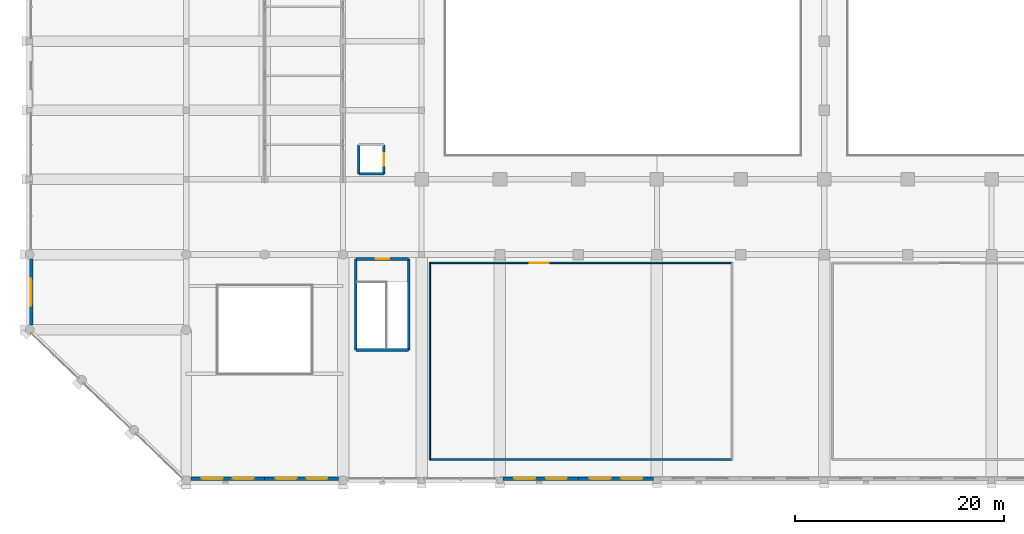
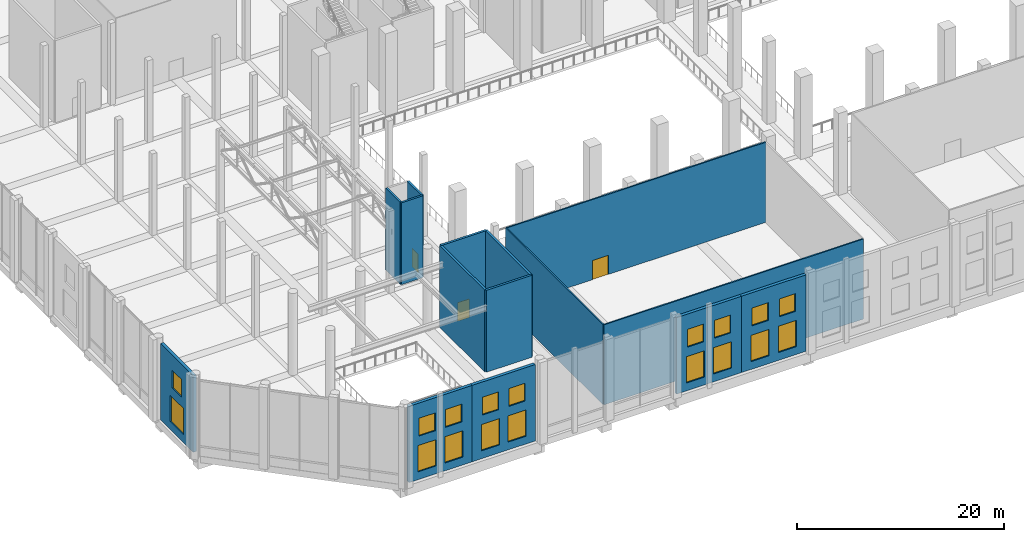
# One storey, part 61 of 80: 18 windows, 15 walls, 3 doors, 21 openings.
"""IFC4 building model written with IfcOpenShell, lengths in metres."""

from ifc_helpers import new_model, si_unit, direction, frame, frame_2d, origin, place, context, subcontext, project, spatial, rectangle, extrude, material, layer, layer_set, type_object, element, fill, save


model = new_model("IFC4")

# Units and contexts
model_context = context("Model", 3, precision=1e-05, world=origin(), true_north=direction((0.0, 1.0)))
body_context = subcontext(model_context, "Body", "Model", "MODEL_VIEW")
ifc_project = project(units=[si_unit("LENGTHUNIT", "METRE"), si_unit("AREAUNIT", "SQUARE_METRE"), si_unit("VOLUMEUNIT", "CUBIC_METRE"), si_unit("PLANEANGLEUNIT", "RADIAN"), si_unit("MASSUNIT", "GRAM", prefix="KILO")], contexts=[model_context])

# Site, building, storey
site_placement = place(None, origin())
site = spatial("IfcSite", under=ifc_project, at=site_placement, CompositionType="ELEMENT")
building_placement = place(site_placement, origin())
building = spatial("IfcBuilding", under=site, at=building_placement, Name="Akrevak Sports Hall", CompositionType="ELEMENT")
storey_placement = place(building_placement, frame((0.0, 0.0, 14.0)))
storey = spatial("IfcBuildingStorey", under=building, at=storey_placement, Name="L03", CompositionType="ELEMENT", Elevation=14.0)

# Wall, openings, windows
ifc_material_1 = material(Name="Limestone Ashlar", Category="stone")
ifc_layer_1 = layer(ifc_material_1, 0.070068359375, Name="Limestone Ashlar")
ifc_material_2 = material(Name="Mineral Wool Thermal Insulation", Category="insulation")
ifc_layer_2 = layer(ifc_material_2, 0.10009765625, Name="Mineral Wool Thermal Insulation")
ifc_material_3 = material(Name="Concrete C40/50", Category="concrete")
ifc_layer_3 = layer(ifc_material_3, 0.169921875, Name="Concrete C40/50")
ifc_layer_set_1 = layer_set([ifc_layer_1, ifc_layer_2, ifc_layer_3], Name="Limestone Ashlar / Mineral Wool Thermal Insulation / Concrete C40/50")
wall_type_1 = type_object("IfcWallType", Name="ARC-WL-EXT-340", PredefinedType="SOLIDWALL", material=ifc_layer_set_1)
wall_1_placement = place(storey_placement, frame((15.449951171875, 0.169921875, 0.0), z_axis=(0.0, 0.0, 1.0), x_axis=(1.0, 0.0, 0.0)))
wall_1 = element("IfcWall", 1, at=wall_1_placement, inside=storey, type_object=wall_type_1, Name="Exterior Limestone Wall L03-S01", PredefinedType="SOLIDWALL", context=body_context, shape_type="SweptSolid", body=[
    extrude(rectangle(XDim=7.050048828125, YDim=0.340087890625, at=frame_2d((3.52490234375, 0.0))), origin(), (0.0, 0.0, 1.0), 9.0),
])
opening_1_placement = place(wall_1_placement, frame((1.04443359375, 0.0, 0.919921875)))
opening_1 = element("IfcOpeningElement", 2, at=opening_1_placement, cuts=wall_1, Name="Opening WN-41", PredefinedType="OPENING", context=body_context, shape_type="SweptSolid", body=[
    extrude(rectangle(XDim=2.0, YDim=3.10009765625, at=frame_2d((1.0, 1.550048828125))), frame((0.0, 0.18212890625, 0.0), z_axis=(0.0, -1.0, 0.0), x_axis=(1.0, 0.0, 0.0)), (0.0, 0.0, 1.0), 0.364013671875),
])
opening_2_placement = place(wall_1_placement, frame((1.14453125, 0.0, 5.10009765625)))
opening_2 = element("IfcOpeningElement", 3, at=opening_2_placement, cuts=wall_1, Name="Opening WN-37", PredefinedType="OPENING", context=body_context, shape_type="SweptSolid", body=[
    extrude(rectangle(XDim=1.800048828125, YDim=2.10009765625, at=frame_2d((0.89990234375, 1.050048828125))), frame((0.0, 0.18212890625, 0.0), z_axis=(0.0, -1.0, 0.0), x_axis=(1.0, 0.0, 0.0)), (0.0, 0.0, 1.0), 0.364013671875),
])
opening_3_placement = place(wall_1_placement, frame((4.005615234375, 0.0, 0.919921875)))
opening_3 = element("IfcOpeningElement", 4, at=opening_3_placement, cuts=wall_1, Name="Opening WN-41", PredefinedType="OPENING", context=body_context, shape_type="SweptSolid", body=[
    extrude(rectangle(XDim=2.0, YDim=3.10009765625, at=frame_2d((1.0, 1.550048828125))), frame((0.0, 0.18212890625, 0.0), z_axis=(0.0, -1.0, 0.0), x_axis=(1.0, 0.0, 0.0)), (0.0, 0.0, 1.0), 0.364013671875),
])
opening_4_placement = place(wall_1_placement, frame((4.10546875, 0.0, 5.10009765625)))
opening_4 = element("IfcOpeningElement", 5, at=opening_4_placement, cuts=wall_1, Name="Opening WN-37", PredefinedType="OPENING", context=body_context, shape_type="SweptSolid", body=[
    extrude(rectangle(XDim=1.800048828125, YDim=2.10009765625, at=frame_2d((0.89990234375, 1.050048828125))), frame((0.0, 0.18212890625, 0.0), z_axis=(0.0, -1.0, 0.0), x_axis=(1.0, 0.0, 0.0)), (0.0, 0.0, 1.0), 0.364013671875),
])
ifc_material_4 = material(Name="Thermally Broken Bronze Frame & Double Low-E Glass", Category="glass")
window_type_1 = type_object("IfcWindowType", Name="ARC-WIN-SZ-1800x2100", PartitioningType="SINGLE_PANEL", PredefinedType="WINDOW", material=ifc_material_4)
window_1_placement = place(opening_2_placement, origin())
window_1 = element("IfcWindow", 6, at=window_1_placement, inside=storey, type_object=window_type_1, Name="Beaux-Arts Attic Clerestory Window WIN-L03-S01-1U", OverallHeight=2.10009765625, OverallWidth=1.800048828125, PartitioningType="SINGLE_PANEL", PredefinedType="WINDOW", context=body_context, shape_type="SweptSolid", body=[
    extrude(rectangle(XDim=1.800048828125, YDim=2.10009765625, at=frame_2d((0.89990234375, 1.050048828125))), frame((0.0, 0.030029296875, 0.0), z_axis=(0.0, -1.0, 0.0), x_axis=(1.0, 0.0, 0.0)), (0.0, 0.0, 1.0), 0.06005859375),
])
fill(opening_2, window_1)
window_2_placement = place(opening_4_placement, origin())
window_2 = element("IfcWindow", 7, at=window_2_placement, inside=storey, type_object=window_type_1, Name="Beaux-Arts Attic Clerestory Window WIN-L03-S01-2U", OverallHeight=2.10009765625, OverallWidth=1.800048828125, PartitioningType="SINGLE_PANEL", PredefinedType="WINDOW", context=body_context, shape_type="SweptSolid", body=[
    extrude(rectangle(XDim=1.800048828125, YDim=2.10009765625, at=frame_2d((0.89990234375, 1.050048828125))), frame((0.0, 0.030029296875, 0.0), z_axis=(0.0, -1.0, 0.0), x_axis=(1.0, 0.0, 0.0)), (0.0, 0.0, 1.0), 0.06005859375),
])
fill(opening_4, window_2)
window_type_2 = type_object("IfcWindowType", Name="ARC-WIN-SZ-2000x3100", PartitioningType="SINGLE_PANEL", PredefinedType="WINDOW", material=ifc_material_4)
window_3_placement = place(opening_1_placement, origin())
window_3 = element("IfcWindow", 8, at=window_3_placement, inside=storey, type_object=window_type_2, Name="Beaux-Arts Facade Window WIN-L03-S01-1", OverallHeight=3.10009765625, OverallWidth=2.0, PartitioningType="SINGLE_PANEL", PredefinedType="WINDOW", context=body_context, shape_type="SweptSolid", body=[
    extrude(rectangle(XDim=2.0, YDim=3.10009765625, at=frame_2d((1.0, 1.550048828125))), frame((0.0, 0.030029296875, 0.0), z_axis=(0.0, -1.0, 0.0), x_axis=(1.0, 0.0, 0.0)), (0.0, 0.0, 1.0), 0.06005859375),
])
fill(opening_1, window_3)
window_4_placement = place(opening_3_placement, origin())
window_4 = element("IfcWindow", 9, at=window_4_placement, inside=storey, type_object=window_type_2, Name="Beaux-Arts Facade Window WIN-L03-S01-2", OverallHeight=3.10009765625, OverallWidth=2.0, PartitioningType="SINGLE_PANEL", PredefinedType="WINDOW", context=body_context, shape_type="SweptSolid", body=[
    extrude(rectangle(XDim=2.0, YDim=3.10009765625, at=frame_2d((1.0, 1.550048828125))), frame((0.0, 0.030029296875, 0.0), z_axis=(0.0, -1.0, 0.0), x_axis=(1.0, 0.0, 0.0)), (0.0, 0.0, 1.0), 0.06005859375),
])
fill(opening_3, window_4)

wall_2_placement = place(storey_placement, frame((22.5, 0.169921875, 0.0), z_axis=(0.0, 0.0, 1.0), x_axis=(1.0, 0.0, 0.0)))
wall_2 = element("IfcWall", 10, at=wall_2_placement, inside=storey, type_object=wall_type_1, Name="Exterior Limestone Wall L03-S02", PredefinedType="SOLIDWALL", context=body_context, shape_type="SweptSolid", body=[
    extrude(rectangle(XDim=7.050048828125, YDim=0.340087890625, at=frame_2d((3.52490234375, 0.0))), origin(), (0.0, 0.0, 1.0), 9.0),
])
opening_5_placement = place(wall_2_placement, frame((1.04443359375, 0.0, 0.919921875)))
opening_5 = element("IfcOpeningElement", 11, at=opening_5_placement, cuts=wall_2, Name="Opening WN-41", PredefinedType="OPENING", context=body_context, shape_type="SweptSolid", body=[
    extrude(rectangle(XDim=2.0, YDim=3.10009765625, at=frame_2d((1.0, 1.550048828125))), frame((0.0, 0.18212890625, 0.0), z_axis=(0.0, -1.0, 0.0), x_axis=(1.0, 0.0, 0.0)), (0.0, 0.0, 1.0), 0.364013671875),
])
opening_6_placement = place(wall_2_placement, frame((1.14453125, 0.0, 5.10009765625)))
opening_6 = element("IfcOpeningElement", 12, at=opening_6_placement, cuts=wall_2, Name="Opening WN-37", PredefinedType="OPENING", context=body_context, shape_type="SweptSolid", body=[
    extrude(rectangle(XDim=1.800048828125, YDim=2.10009765625, at=frame_2d((0.89990234375, 1.050048828125))), frame((0.0, 0.18212890625, 0.0), z_axis=(0.0, -1.0, 0.0), x_axis=(1.0, 0.0, 0.0)), (0.0, 0.0, 1.0), 0.364013671875),
])
opening_7_placement = place(wall_2_placement, frame((4.005615234375, 0.0, 0.919921875)))
opening_7 = element("IfcOpeningElement", 13, at=opening_7_placement, cuts=wall_2, Name="Opening WN-41", PredefinedType="OPENING", context=body_context, shape_type="SweptSolid", body=[
    extrude(rectangle(XDim=2.0, YDim=3.10009765625, at=frame_2d((1.0, 1.550048828125))), frame((0.0, 0.18212890625, 0.0), z_axis=(0.0, -1.0, 0.0), x_axis=(1.0, 0.0, 0.0)), (0.0, 0.0, 1.0), 0.364013671875),
])
opening_8_placement = place(wall_2_placement, frame((4.10546875, 0.0, 5.10009765625)))
opening_8 = element("IfcOpeningElement", 14, at=opening_8_placement, cuts=wall_2, Name="Opening WN-37", PredefinedType="OPENING", context=body_context, shape_type="SweptSolid", body=[
    extrude(rectangle(XDim=1.800048828125, YDim=2.10009765625, at=frame_2d((0.89990234375, 1.050048828125))), frame((0.0, 0.18212890625, 0.0), z_axis=(0.0, -1.0, 0.0), x_axis=(1.0, 0.0, 0.0)), (0.0, 0.0, 1.0), 0.364013671875),
])
window_5_placement = place(opening_6_placement, origin())
window_5 = element("IfcWindow", 15, at=window_5_placement, inside=storey, type_object=window_type_1, Name="Beaux-Arts Attic Clerestory Window WIN-L03-S02-1U", OverallHeight=2.10009765625, OverallWidth=1.800048828125, PartitioningType="SINGLE_PANEL", PredefinedType="WINDOW", context=body_context, shape_type="SweptSolid", body=[
    extrude(rectangle(XDim=1.800048828125, YDim=2.10009765625, at=frame_2d((0.89990234375, 1.050048828125))), frame((0.0, 0.030029296875, 0.0), z_axis=(0.0, -1.0, 0.0), x_axis=(1.0, 0.0, 0.0)), (0.0, 0.0, 1.0), 0.06005859375),
])
fill(opening_6, window_5)
window_6_placement = place(opening_8_placement, origin())
window_6 = element("IfcWindow", 16, at=window_6_placement, inside=storey, type_object=window_type_1, Name="Beaux-Arts Attic Clerestory Window WIN-L03-S02-2U", OverallHeight=2.10009765625, OverallWidth=1.800048828125, PartitioningType="SINGLE_PANEL", PredefinedType="WINDOW", context=body_context, shape_type="SweptSolid", body=[
    extrude(rectangle(XDim=1.800048828125, YDim=2.10009765625, at=frame_2d((0.89990234375, 1.050048828125))), frame((0.0, 0.030029296875, 0.0), z_axis=(0.0, -1.0, 0.0), x_axis=(1.0, 0.0, 0.0)), (0.0, 0.0, 1.0), 0.06005859375),
])
fill(opening_8, window_6)
window_7_placement = place(opening_5_placement, origin())
window_7 = element("IfcWindow", 17, at=window_7_placement, inside=storey, type_object=window_type_2, Name="Beaux-Arts Facade Window WIN-L03-S02-1", OverallHeight=3.10009765625, OverallWidth=2.0, PartitioningType="SINGLE_PANEL", PredefinedType="WINDOW", context=body_context, shape_type="SweptSolid", body=[
    extrude(rectangle(XDim=2.0, YDim=3.10009765625, at=frame_2d((1.0, 1.550048828125))), frame((0.0, 0.030029296875, 0.0), z_axis=(0.0, -1.0, 0.0), x_axis=(1.0, 0.0, 0.0)), (0.0, 0.0, 1.0), 0.06005859375),
])
fill(opening_5, window_7)
window_8_placement = place(opening_7_placement, origin())
window_8 = element("IfcWindow", 18, at=window_8_placement, inside=storey, type_object=window_type_2, Name="Beaux-Arts Facade Window WIN-L03-S02-2", OverallHeight=3.10009765625, OverallWidth=2.0, PartitioningType="SINGLE_PANEL", PredefinedType="WINDOW", context=body_context, shape_type="SweptSolid", body=[
    extrude(rectangle(XDim=2.0, YDim=3.10009765625, at=frame_2d((1.0, 1.550048828125))), frame((0.0, 0.030029296875, 0.0), z_axis=(0.0, -1.0, 0.0), x_axis=(1.0, 0.0, 0.0)), (0.0, 0.0, 1.0), 0.06005859375),
])
fill(opening_7, window_8)

wall_3_placement = place(storey_placement, frame((45.27490234375, 0.169921875, 0.0), z_axis=(0.0, 0.0, 1.0), x_axis=(1.0, 0.0, 0.0)))
wall_3 = element("IfcWall", 19, at=wall_3_placement, inside=storey, type_object=wall_type_1, Name="Exterior Limestone Wall L03-S05", PredefinedType="SOLIDWALL", context=body_context, shape_type="SweptSolid", body=[
    extrude(rectangle(XDim=7.22509765625, YDim=0.340087890625, at=frame_2d((3.612548828125, 0.0))), origin(), (0.0, 0.0, 1.0), 9.0),
])
opening_9_placement = place(wall_3_placement, frame((1.09521484375, 0.0, 0.919921875)))
opening_9 = element("IfcOpeningElement", 20, at=opening_9_placement, cuts=wall_3, Name="Opening WN-41", PredefinedType="OPENING", context=body_context, shape_type="SweptSolid", body=[
    extrude(rectangle(XDim=2.0, YDim=3.10009765625, at=frame_2d((1.0, 1.550048828125))), frame((0.0, 0.18212890625, 0.0), z_axis=(0.0, -1.0, 0.0), x_axis=(1.0, 0.0, 0.0)), (0.0, 0.0, 1.0), 0.364013671875),
])
opening_10_placement = place(wall_3_placement, frame((1.1953125, 0.0, 5.10009765625)))
opening_10 = element("IfcOpeningElement", 21, at=opening_10_placement, cuts=wall_3, Name="Opening WN-37", PredefinedType="OPENING", context=body_context, shape_type="SweptSolid", body=[
    extrude(rectangle(XDim=1.800048828125, YDim=2.10009765625, at=frame_2d((0.89990234375, 1.050048828125))), frame((0.0, 0.18212890625, 0.0), z_axis=(0.0, -1.0, 0.0), x_axis=(1.0, 0.0, 0.0)), (0.0, 0.0, 1.0), 0.364013671875),
])
opening_11_placement = place(wall_3_placement, frame((4.1298828125, 0.0, 0.919921875)))
opening_11 = element("IfcOpeningElement", 22, at=opening_11_placement, cuts=wall_3, Name="Opening WN-41", PredefinedType="OPENING", context=body_context, shape_type="SweptSolid", body=[
    extrude(rectangle(XDim=2.0, YDim=3.10009765625, at=frame_2d((1.0, 1.550048828125))), frame((0.0, 0.18212890625, 0.0), z_axis=(0.0, -1.0, 0.0), x_axis=(1.0, 0.0, 0.0)), (0.0, 0.0, 1.0), 0.364013671875),
])
opening_12_placement = place(wall_3_placement, frame((4.229736328125, 0.0, 5.10009765625)))
opening_12 = element("IfcOpeningElement", 23, at=opening_12_placement, cuts=wall_3, Name="Opening WN-37", PredefinedType="OPENING", context=body_context, shape_type="SweptSolid", body=[
    extrude(rectangle(XDim=1.800048828125, YDim=2.10009765625, at=frame_2d((0.89990234375, 1.050048828125))), frame((0.0, 0.18212890625, 0.0), z_axis=(0.0, -1.0, 0.0), x_axis=(1.0, 0.0, 0.0)), (0.0, 0.0, 1.0), 0.364013671875),
])
window_9_placement = place(opening_10_placement, origin())
window_9 = element("IfcWindow", 24, at=window_9_placement, inside=storey, type_object=window_type_1, Name="Beaux-Arts Attic Clerestory Window WIN-L03-S05-1U", OverallHeight=2.10009765625, OverallWidth=1.800048828125, PartitioningType="SINGLE_PANEL", PredefinedType="WINDOW", context=body_context, shape_type="SweptSolid", body=[
    extrude(rectangle(XDim=1.800048828125, YDim=2.10009765625, at=frame_2d((0.89990234375, 1.050048828125))), frame((0.0, 0.030029296875, 0.0), z_axis=(0.0, -1.0, 0.0), x_axis=(1.0, 0.0, 0.0)), (0.0, 0.0, 1.0), 0.06005859375),
])
fill(opening_10, window_9)
window_10_placement = place(opening_12_placement, origin())
window_10 = element("IfcWindow", 25, at=window_10_placement, inside=storey, type_object=window_type_1, Name="Beaux-Arts Attic Clerestory Window WIN-L03-S05-2U", OverallHeight=2.10009765625, OverallWidth=1.800048828125, PartitioningType="SINGLE_PANEL", PredefinedType="WINDOW", context=body_context, shape_type="SweptSolid", body=[
    extrude(rectangle(XDim=1.800048828125, YDim=2.10009765625, at=frame_2d((0.89990234375, 1.050048828125))), frame((0.0, 0.030029296875, 0.0), z_axis=(0.0, -1.0, 0.0), x_axis=(1.0, 0.0, 0.0)), (0.0, 0.0, 1.0), 0.06005859375),
])
fill(opening_12, window_10)
window_11_placement = place(opening_9_placement, origin())
window_11 = element("IfcWindow", 26, at=window_11_placement, inside=storey, type_object=window_type_2, Name="Beaux-Arts Facade Window WIN-L03-S05-1", OverallHeight=3.10009765625, OverallWidth=2.0, PartitioningType="SINGLE_PANEL", PredefinedType="WINDOW", context=body_context, shape_type="SweptSolid", body=[
    extrude(rectangle(XDim=2.0, YDim=3.10009765625, at=frame_2d((1.0, 1.550048828125))), frame((0.0, 0.030029296875, 0.0), z_axis=(0.0, -1.0, 0.0), x_axis=(1.0, 0.0, 0.0)), (0.0, 0.0, 1.0), 0.06005859375),
])
fill(opening_9, window_11)
window_12_placement = place(opening_11_placement, origin())
window_12 = element("IfcWindow", 27, at=window_12_placement, inside=storey, type_object=window_type_2, Name="Beaux-Arts Facade Window WIN-L03-S05-2", OverallHeight=3.10009765625, OverallWidth=2.0, PartitioningType="SINGLE_PANEL", PredefinedType="WINDOW", context=body_context, shape_type="SweptSolid", body=[
    extrude(rectangle(XDim=2.0, YDim=3.10009765625, at=frame_2d((1.0, 1.550048828125))), frame((0.0, 0.030029296875, 0.0), z_axis=(0.0, -1.0, 0.0), x_axis=(1.0, 0.0, 0.0)), (0.0, 0.0, 1.0), 0.06005859375),
])
fill(opening_11, window_12)

wall_4_placement = place(storey_placement, frame((52.5, 0.169921875, 0.0), z_axis=(0.0, 0.0, 1.0), x_axis=(1.0, 0.0, 0.0)))
wall_4 = element("IfcWall", 28, at=wall_4_placement, inside=storey, type_object=wall_type_1, Name="Exterior Limestone Wall L03-S06", PredefinedType="SOLIDWALL", context=body_context, shape_type="SweptSolid", body=[
    extrude(rectangle(XDim=7.199951171875, YDim=0.340087890625, at=frame_2d((3.60009765625, 0.0))), origin(), (0.0, 0.0, 1.0), 9.0),
])
opening_13_placement = place(wall_4_placement, frame((1.087890625, 0.0, 0.919921875)))
opening_13 = element("IfcOpeningElement", 29, at=opening_13_placement, cuts=wall_4, Name="Opening WN-41", PredefinedType="OPENING", context=body_context, shape_type="SweptSolid", body=[
    extrude(rectangle(XDim=2.0, YDim=3.10009765625, at=frame_2d((1.0, 1.550048828125))), frame((0.0, 0.18212890625, 0.0), z_axis=(0.0, -1.0, 0.0), x_axis=(1.0, 0.0, 0.0)), (0.0, 0.0, 1.0), 0.364013671875),
])
opening_14_placement = place(wall_4_placement, frame((1.18798828125, 0.0, 5.10009765625)))
opening_14 = element("IfcOpeningElement", 30, at=opening_14_placement, cuts=wall_4, Name="Opening WN-37", PredefinedType="OPENING", context=body_context, shape_type="SweptSolid", body=[
    extrude(rectangle(XDim=1.800048828125, YDim=2.10009765625, at=frame_2d((0.89990234375, 1.050048828125))), frame((0.0, 0.18212890625, 0.0), z_axis=(0.0, -1.0, 0.0), x_axis=(1.0, 0.0, 0.0)), (0.0, 0.0, 1.0), 0.364013671875),
])
opening_15_placement = place(wall_4_placement, frame((4.112060546875, 0.0, 0.919921875)))
opening_15 = element("IfcOpeningElement", 31, at=opening_15_placement, cuts=wall_4, Name="Opening WN-41", PredefinedType="OPENING", context=body_context, shape_type="SweptSolid", body=[
    extrude(rectangle(XDim=2.0, YDim=3.10009765625, at=frame_2d((1.0, 1.550048828125))), frame((0.0, 0.18212890625, 0.0), z_axis=(0.0, -1.0, 0.0), x_axis=(1.0, 0.0, 0.0)), (0.0, 0.0, 1.0), 0.364013671875),
])
opening_16_placement = place(wall_4_placement, frame((4.2119140625, 0.0, 5.10009765625)))
opening_16 = element("IfcOpeningElement", 32, at=opening_16_placement, cuts=wall_4, Name="Opening WN-37", PredefinedType="OPENING", context=body_context, shape_type="SweptSolid", body=[
    extrude(rectangle(XDim=1.800048828125, YDim=2.10009765625, at=frame_2d((0.89990234375, 1.050048828125))), frame((0.0, 0.18212890625, 0.0), z_axis=(0.0, -1.0, 0.0), x_axis=(1.0, 0.0, 0.0)), (0.0, 0.0, 1.0), 0.364013671875),
])
window_13_placement = place(opening_14_placement, origin())
window_13 = element("IfcWindow", 33, at=window_13_placement, inside=storey, type_object=window_type_1, Name="Beaux-Arts Attic Clerestory Window WIN-L03-S06-1U", OverallHeight=2.10009765625, OverallWidth=1.800048828125, PartitioningType="SINGLE_PANEL", PredefinedType="WINDOW", context=body_context, shape_type="SweptSolid", body=[
    extrude(rectangle(XDim=1.800048828125, YDim=2.10009765625, at=frame_2d((0.89990234375, 1.050048828125))), frame((0.0, 0.030029296875, 0.0), z_axis=(0.0, -1.0, 0.0), x_axis=(1.0, 0.0, 0.0)), (0.0, 0.0, 1.0), 0.06005859375),
])
fill(opening_14, window_13)
window_14_placement = place(opening_16_placement, origin())
window_14 = element("IfcWindow", 34, at=window_14_placement, inside=storey, type_object=window_type_1, Name="Beaux-Arts Attic Clerestory Window WIN-L03-S06-2U", OverallHeight=2.10009765625, OverallWidth=1.800048828125, PartitioningType="SINGLE_PANEL", PredefinedType="WINDOW", context=body_context, shape_type="SweptSolid", body=[
    extrude(rectangle(XDim=1.800048828125, YDim=2.10009765625, at=frame_2d((0.89990234375, 1.050048828125))), frame((0.0, 0.030029296875, 0.0), z_axis=(0.0, -1.0, 0.0), x_axis=(1.0, 0.0, 0.0)), (0.0, 0.0, 1.0), 0.06005859375),
])
fill(opening_16, window_14)
window_15_placement = place(opening_13_placement, origin())
window_15 = element("IfcWindow", 35, at=window_15_placement, inside=storey, type_object=window_type_2, Name="Beaux-Arts Facade Window WIN-L03-S06-1", OverallHeight=3.10009765625, OverallWidth=2.0, PartitioningType="SINGLE_PANEL", PredefinedType="WINDOW", context=body_context, shape_type="SweptSolid", body=[
    extrude(rectangle(XDim=2.0, YDim=3.10009765625, at=frame_2d((1.0, 1.550048828125))), frame((0.0, 0.030029296875, 0.0), z_axis=(0.0, -1.0, 0.0), x_axis=(1.0, 0.0, 0.0)), (0.0, 0.0, 1.0), 0.06005859375),
])
fill(opening_13, window_15)
window_16_placement = place(opening_15_placement, origin())
window_16 = element("IfcWindow", 36, at=window_16_placement, inside=storey, type_object=window_type_2, Name="Beaux-Arts Facade Window WIN-L03-S06-2", OverallHeight=3.10009765625, OverallWidth=2.0, PartitioningType="SINGLE_PANEL", PredefinedType="WINDOW", context=body_context, shape_type="SweptSolid", body=[
    extrude(rectangle(XDim=2.0, YDim=3.10009765625, at=frame_2d((1.0, 1.550048828125))), frame((0.0, 0.030029296875, 0.0), z_axis=(0.0, -1.0, 0.0), x_axis=(1.0, 0.0, 0.0)), (0.0, 0.0, 1.0), 0.06005859375),
])
fill(opening_15, window_16)

wall_5_placement = place(storey_placement, frame((0.169921875, 21.14990234375, 0.0), z_axis=(0.0, 0.0, 1.0), x_axis=(0.0, -1.0, 0.0)))
wall_5 = element("IfcWall", 37, at=wall_5_placement, inside=storey, type_object=wall_type_1, Name="Exterior Limestone Wall L03-W01", PredefinedType="SOLIDWALL", context=body_context, shape_type="SweptSolid", body=[
    extrude(rectangle(XDim=6.2998046875, YDim=0.340087890625, at=frame_2d((3.14990234375, 0.0))), origin(), (0.0, 0.0, 1.0), 9.0),
])
opening_17_placement = place(wall_5_placement, frame((1.85009765625, 0.0, 0.919921875)))
opening_17 = element("IfcOpeningElement", 38, at=opening_17_placement, cuts=wall_5, Name="Opening WN-42", PredefinedType="OPENING", context=body_context, shape_type="SweptSolid", body=[
    extrude(rectangle(XDim=2.60009765625, YDim=3.10009765625, at=frame_2d((1.300048828125, 1.550048828125))), frame((0.0, 0.18212890625, 0.0), z_axis=(0.0, -1.0, 0.0), x_axis=(1.0, 0.0, 0.0)), (0.0, 0.0, 1.0), 0.364013671875),
])
opening_18_placement = place(wall_5_placement, frame((2.25, 0.0, 5.10009765625)))
opening_18 = element("IfcOpeningElement", 39, at=opening_18_placement, cuts=wall_5, Name="Opening WN-37", PredefinedType="OPENING", context=body_context, shape_type="SweptSolid", body=[
    extrude(rectangle(XDim=1.800048828125, YDim=2.10009765625, at=frame_2d((0.89990234375, 1.050048828125))), frame((0.0, 0.18212890625, 0.0), z_axis=(0.0, -1.0, 0.0), x_axis=(1.0, 0.0, 0.0)), (0.0, 0.0, 1.0), 0.364013671875),
])
window_17_placement = place(opening_18_placement, origin())
window_17 = element("IfcWindow", 40, at=window_17_placement, inside=storey, type_object=window_type_1, Name="Beaux-Arts Attic Clerestory Window WIN-L03-W01U", OverallHeight=2.10009765625, OverallWidth=1.800048828125, PartitioningType="SINGLE_PANEL", PredefinedType="WINDOW", context=body_context, shape_type="SweptSolid", body=[
    extrude(rectangle(XDim=1.800048828125, YDim=2.10009765625, at=frame_2d((0.89990234375, 1.050048828125))), frame((0.0, 0.030029296875, 0.0), z_axis=(0.0, -1.0, 0.0), x_axis=(1.0, 0.0, 0.0)), (0.0, 0.0, 1.0), 0.06005859375),
])
fill(opening_18, window_17)
window_type_3 = type_object("IfcWindowType", Name="ARC-WIN-SZ-2600x3100", PartitioningType="SINGLE_PANEL", PredefinedType="WINDOW", material=ifc_material_4)
window_18_placement = place(opening_17_placement, origin())
window_18 = element("IfcWindow", 41, at=window_18_placement, inside=storey, type_object=window_type_3, Name="Beaux-Arts Facade Window WIN-L03-W01", OverallHeight=3.10009765625, OverallWidth=2.60009765625, PartitioningType="SINGLE_PANEL", PredefinedType="WINDOW", context=body_context, shape_type="SweptSolid", body=[
    extrude(rectangle(XDim=2.60009765625, YDim=3.10009765625, at=frame_2d((1.300048828125, 1.550048828125))), frame((0.0, 0.030029296875, 0.0), z_axis=(0.0, -1.0, 0.0), x_axis=(1.0, 0.0, 0.0)), (0.0, 0.0, 1.0), 0.06005859375),
])
fill(opening_17, window_18)

# Wall
ifc_material_5 = material(Name="Double Stud Acoustic Gypsum Partition", Category="gypsum")
ifc_layer_4 = layer(ifc_material_5, 0.14990234375, Name="Double Stud Acoustic Gypsum Partition")
ifc_layer_set_2 = layer_set([ifc_layer_4], Name="Double Stud Acoustic Gypsum Partition")
wall_type_2 = type_object("IfcWallType", Name="ARC-WL-PRT-150", PredefinedType="PARTITIONING", material=ifc_layer_set_2)
wall_6_placement = place(storey_placement, frame((38.300048828125, 2.0, 0.0), z_axis=(0.0, 0.0, 1.0), x_axis=(1.0, 0.0, 0.0)))
element("IfcWall", 42, at=wall_6_placement, inside=storey, type_object=wall_type_2, Name="Interior Partition Fitness Studio 5 - Altitude Cycling & Spin (S)", PredefinedType="PARTITIONING", context=body_context, shape_type="SweptSolid", body=[
    extrude(rectangle(XDim=28.89990234375, YDim=0.14990234375, at=frame_2d((14.449951171875, 0.0))), origin(), (0.0, 0.0, 1.0), 9.429931640625),
])

# Wall, opening, door
wall_7_placement = place(storey_placement, frame((38.300048828125, 20.800048828125, 0.0), z_axis=(0.0, 0.0, 1.0), x_axis=(1.0, 0.0, 0.0)))
wall_7 = element("IfcWall", 43, at=wall_7_placement, inside=storey, type_object=wall_type_2, Name="Interior Partition Fitness Studio 5 - Altitude Cycling & Spin (N)", PredefinedType="PARTITIONING", context=body_context, shape_type="SweptSolid", body=[
    extrude(rectangle(XDim=28.89990234375, YDim=0.14990234375, at=frame_2d((14.449951171875, 0.0))), origin(), (0.0, 0.0, 1.0), 9.429931640625),
])
opening_19_placement = place(wall_7_placement, frame((9.550048828125, 0.0, 0.0)))
opening_19 = element("IfcOpeningElement", 44, at=opening_19_placement, cuts=wall_7, Name="Opening ID-02", PredefinedType="OPENING", context=body_context, shape_type="SweptSolid", body=[
    extrude(rectangle(XDim=1.800048828125, YDim=2.25, at=frame_2d((0.89990234375, 1.125))), frame((0.0, 0.0869140625, 0.0), z_axis=(0.0, -1.0, 0.0), x_axis=(1.0, 0.0, 0.0)), (0.0, 0.0, 1.0), 0.173828125),
])
ifc_material_6 = material(Name="Hardwood Oak & Safety Glass", Category="wood")
door_type_1 = type_object("IfcDoorType", Name="ARC-DR-HALL-180x225", OperationType="DOUBLE_DOOR_SINGLE_SWING", PredefinedType="DOOR", material=ifc_material_6)
door_1_placement = place(opening_19_placement, origin())
door_1 = element("IfcDoor", 45, at=door_1_placement, inside=storey, type_object=door_type_1, Name="Door to Fitness Studio 5 - Altitude Cycling & Spin", OperationType="DOUBLE_DOOR_SINGLE_SWING", OverallHeight=2.25, OverallWidth=1.800048828125, PredefinedType="DOOR", context=body_context, shape_type="SweptSolid", body=[
    extrude(rectangle(XDim=1.800048828125, YDim=2.25, at=frame_2d((0.89990234375, 1.125))), frame((0.0, 0.02490234375, 0.0), z_axis=(0.0, -1.0, 0.0), x_axis=(1.0, 0.0, 0.0)), (0.0, 0.0, 1.0), 0.050048828125),
])
fill(opening_19, door_1)

# Walls
wall_8_placement = place(storey_placement, frame((38.300048828125, 2.0, 0.0), z_axis=(0.0, 0.0, 1.0), x_axis=(0.0, 1.0, 0.0)))
element("IfcWall", 46, at=wall_8_placement, inside=storey, type_object=wall_type_2, Name="Interior Partition Fitness Studio 5 - Altitude Cycling & Spin (W)", PredefinedType="PARTITIONING", context=body_context, shape_type="SweptSolid", body=[
    extrude(rectangle(XDim=18.800048828125, YDim=0.14990234375, at=frame_2d((9.39990234375, 0.0))), origin(), (0.0, 0.0, 1.0), 9.429931640625),
])
ifc_material_7 = material(Name="Concrete C50/60", Category="concrete")
ifc_layer_5 = layer(ifc_material_7, 0.219970703125, Name="Concrete C50/60")
ifc_layer_set_3 = layer_set([ifc_layer_5], Name="Concrete C50/60")
wall_type_3 = type_object("IfcWallType", Name="ARC-WL-SHAFT-220", PredefinedType="SHEAR", material=ifc_layer_set_3)
wall_9_placement = place(storey_placement, frame((31.510009765625, 29.31005859375, 0.0), z_axis=(0.0, 0.0, 1.0), x_axis=(1.0, 0.0, 0.0)))
element("IfcWall", 47, at=wall_9_placement, inside=storey, type_object=wall_type_3, Name="Lift Shaft LF-G1 Wall S (L03)", PredefinedType="SHEAR", context=body_context, shape_type="SweptSolid", body=[
    extrude(rectangle(XDim=2.3798828125, YDim=0.219970703125, at=frame_2d((1.18994140625, 0.0))), origin(), (0.0, 0.0, 1.0), 9.64990234375),
])
wall_10_placement = place(storey_placement, frame((31.510009765625, 32.090087890625, 0.0), z_axis=(0.0, 0.0, 1.0), x_axis=(0.0, -1.0, 0.0)))
element("IfcWall", 48, at=wall_10_placement, inside=storey, type_object=wall_type_3, Name="Lift Shaft LF-G1 Wall W (L03)", PredefinedType="SHEAR", context=body_context, shape_type="SweptSolid", body=[
    extrude(rectangle(XDim=2.780029296875, YDim=0.219970703125, at=frame_2d((1.39013671875, 0.0))), origin(), (0.0, 0.0, 1.0), 9.64990234375),
])

# Wall, opening, door
wall_11_placement = place(storey_placement, frame((33.889892578125, 29.31005859375, 0.0), z_axis=(0.0, 0.0, 1.0), x_axis=(0.0, 1.0, 0.0)))
wall_11 = element("IfcWall", 49, at=wall_11_placement, inside=storey, type_object=wall_type_3, Name="Lift Shaft LF-G1 Wall E (L03)", PredefinedType="SHEAR", context=body_context, shape_type="SweptSolid", body=[
    extrude(rectangle(XDim=2.780029296875, YDim=0.219970703125, at=frame_2d((1.39013671875, 0.0))), origin(), (0.0, 0.0, 1.0), 9.64990234375),
])
opening_20_placement = place(wall_11_placement, frame((0.7900390625, 0.0, 0.0)))
opening_20 = element("IfcOpeningElement", 50, at=opening_20_placement, cuts=wall_11, Name="Opening LD-02", PredefinedType="OPENING", context=body_context, shape_type="SweptSolid", body=[
    extrude(rectangle(XDim=1.199951171875, YDim=2.199951171875, at=frame_2d((0.60009765625, 1.10009765625))), frame((0.0, 0.1220703125, 0.0), z_axis=(0.0, -1.0, 0.0), x_axis=(1.0, 0.0, 0.0)), (0.0, 0.0, 1.0), 0.243896484375),
])
ifc_material_8 = material(Name="Brushed Stainless Steel 304", Category="steel")
door_type_2 = type_object("IfcDoorType", Name="ARC-DR-LD-120x220", OperationType="SLIDING_TO_RIGHT", PredefinedType="DOOR", material=ifc_material_8)
door_2_placement = place(opening_20_placement, origin())
door_2 = element("IfcDoor", 51, at=door_2_placement, inside=storey, type_object=door_type_2, Name="Lift LF-G1 Sliding Landing Door (L03)", OperationType="SLIDING_TO_RIGHT", OverallHeight=2.199951171875, OverallWidth=1.199951171875, PredefinedType="DOOR", context=body_context, shape_type="SweptSolid", body=[
    extrude(rectangle(XDim=1.199951171875, YDim=2.199951171875, at=frame_2d((0.60009765625, 1.10009765625))), frame((0.0, 0.02490234375, 0.0), z_axis=(0.0, -1.0, 0.0), x_axis=(1.0, 0.0, 0.0)), (0.0, 0.0, 1.0), 0.050048828125),
])
fill(opening_20, door_2)

# Wall
ifc_layer_6 = layer(ifc_material_7, 0.25, Name="Concrete C50/60")
ifc_layer_set_4 = layer_set([ifc_layer_6], Name="Concrete C50/60")
wall_type_4 = type_object("IfcWallType", Name="STR-WL-STAIR-250", PredefinedType="SHEAR", material=ifc_layer_set_4)
wall_12_placement = place(storey_placement, frame((31.22509765625, 12.47509765625, 0.0), z_axis=(0.0, 0.0, 1.0), x_axis=(1.0, 0.0, 0.0)))
element("IfcWall", 52, at=wall_12_placement, inside=storey, type_object=wall_type_4, Name="Stair Core ST5 Shear Wall S (L03)", PredefinedType="SHEAR", context=body_context, shape_type="SweptSolid", body=[
    extrude(rectangle(XDim=5.0498046875, YDim=0.25, at=frame_2d((2.52490234375, 0.0))), origin(), (0.0, 0.0, 1.0), 9.64990234375),
])

# Wall, opening, door
wall_13_placement = place(storey_placement, frame((36.27490234375, 21.175048828125, 0.0), z_axis=(0.0, 0.0, 1.0), x_axis=(-1.0, 0.0, 0.0)))
wall_13 = element("IfcWall", 53, at=wall_13_placement, inside=storey, type_object=wall_type_4, Name="Stair Core ST5 Shear Wall N (L03)", PredefinedType="SHEAR", context=body_context, shape_type="SweptSolid", body=[
    extrude(rectangle(XDim=5.0498046875, YDim=0.25, at=frame_2d((2.52490234375, 0.0))), origin(), (0.0, 0.0, 1.0), 9.64990234375),
])
opening_21_placement = place(wall_13_placement, frame((1.875, 0.0, 0.0)))
opening_21 = element("IfcOpeningElement", 54, at=opening_21_placement, cuts=wall_13, Name="Opening SD-01", PredefinedType="OPENING", context=body_context, shape_type="SweptSolid", body=[
    extrude(rectangle(XDim=1.300048828125, YDim=2.199951171875, at=frame_2d((0.64990234375, 1.10009765625))), frame((0.0, 0.136962890625, 0.0), z_axis=(0.0, -1.0, 0.0), x_axis=(1.0, 0.0, 0.0)), (0.0, 0.0, 1.0), 0.27392578125),
])
ifc_material_9 = material(Name="Fire-Rated Galvanized Door Steel", Category="steel")
door_type_3 = type_object("IfcDoorType", Name="ARC-DR-STAIR-130x220", OperationType="NOTDEFINED", PredefinedType="DOOR", material=ifc_material_9)
door_3_placement = place(opening_21_placement, origin())
door_3 = element("IfcDoor", 55, at=door_3_placement, inside=storey, type_object=door_type_3, Name="Exit Stair ST5 Door (L03)", OperationType="SINGLE_SWING_LEFT", OverallHeight=2.199951171875, OverallWidth=1.300048828125, PredefinedType="DOOR", context=body_context, shape_type="SweptSolid", body=[
    extrude(rectangle(XDim=1.300048828125, YDim=2.199951171875, at=frame_2d((0.64990234375, 1.10009765625))), frame((0.0, 0.02490234375, 0.0), z_axis=(0.0, -1.0, 0.0), x_axis=(1.0, 0.0, 0.0)), (0.0, 0.0, 1.0), 0.050048828125),
])
fill(opening_21, door_3)

# Walls
for number, where, z_axis, x_axis, name in (
    (56, (31.22509765625, 21.175048828125, 0.0), (0.0, 0.0, 1.0), (0.0, -1.0, 0.0), "Stair Core ST5 Shear Wall W (L03)"),
    (57, (36.27490234375, 12.47509765625, 0.0), (0.0, 0.0, 1.0), (0.0, 1.0, 0.0), "Stair Core ST5 Shear Wall E (L03)"),
):
    element("IfcWall", number, at=place(storey_placement, frame(where, z_axis=z_axis, x_axis=x_axis)), inside=storey, type_object=wall_type_4, Name=name, PredefinedType="SHEAR", context=body_context, shape_type="SweptSolid", body=[
        extrude(rectangle(XDim=8.699951171875, YDim=0.25, at=frame_2d((4.35009765625, 0.0))), origin(), (0.0, 0.0, 1.0), 9.64990234375),
    ])

save(model, "model.ifc")
